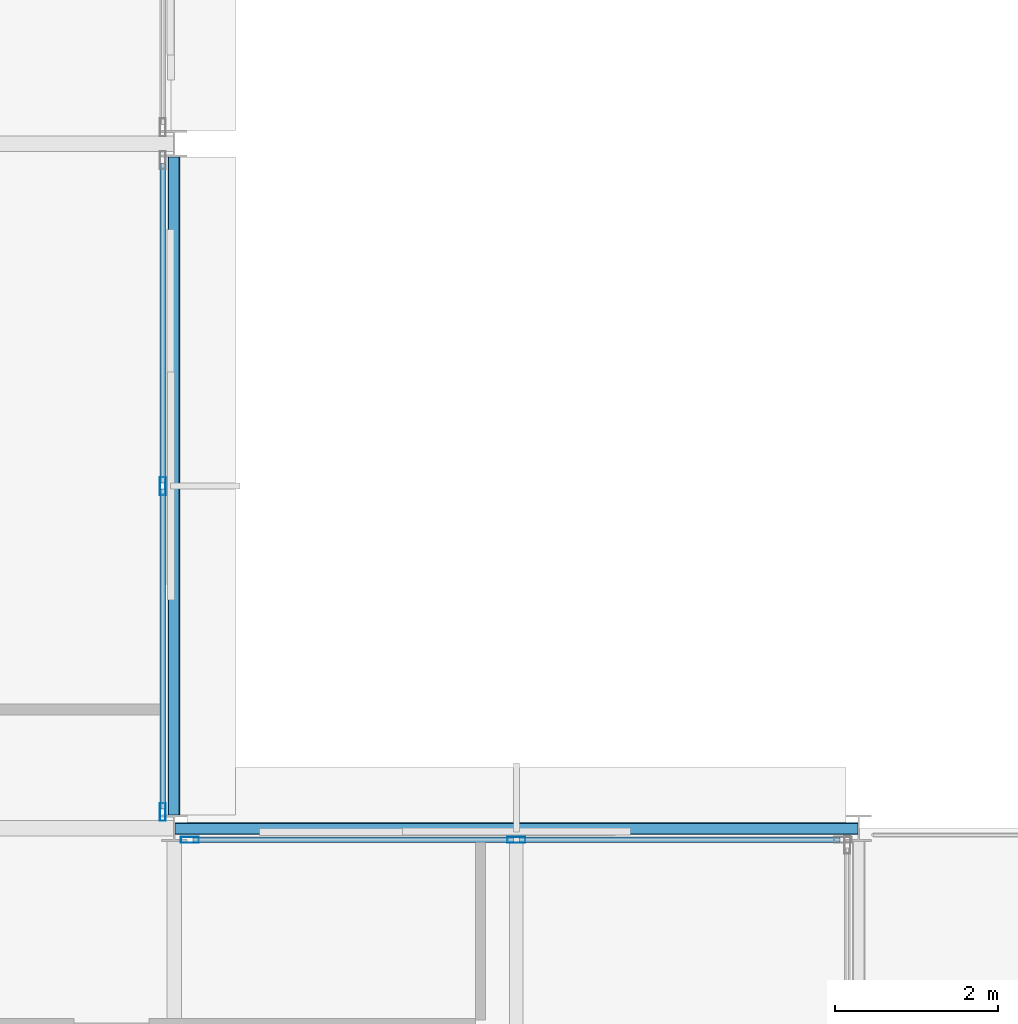
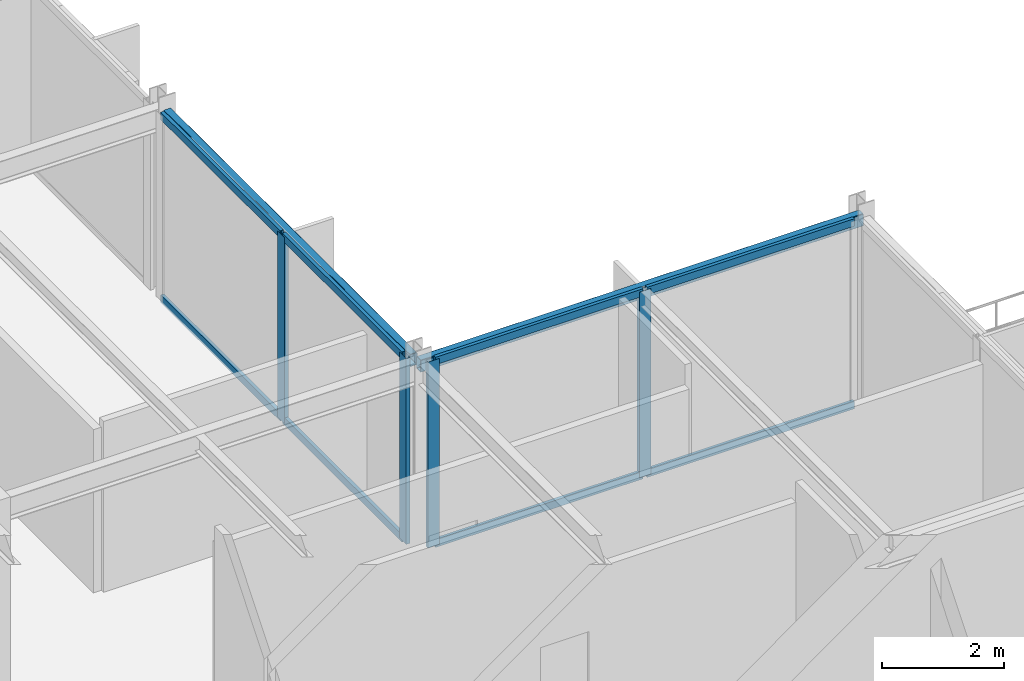
# One storey, part 10 of 23: 12 members, 2 beams, 2 elements without a shape of their own.
"""IFC4 building model written with IfcOpenShell, lengths in metres."""

import ifcopenshell
import ifcopenshell.guid

model = None  # the IFC model being written
_history = None  # IfcOwnerHistory: only IFC2X3 demands one
_inside = {}  # id of a spatial element -> (the spatial element, [elements in it])
_under = {}  # id of a project, library or spatial element -> (it, [spatial elements below it])
_declared = {}  # id of a project -> (the project, [libraries it declares])
_typed = {}  # id of a type object -> (the type object, [elements of that type])
_made_of = {}  # id of a material, layer set ... -> (it, [elements and type objects made of it])


def new_model(schema):
    """Start an empty IFC model of exactly this schema.

    Asked for "IFC4X3", IfcOpenShell would pick the latest addendum, in which some entities
    have other attributes; the version numbers below select the first issue.
    IFC2X3 requires an IfcOwnerHistory on every rooted entity: one is made here for all.
    """
    global model, _history
    if schema == "IFC4X3":
        model = ifcopenshell.file(schema_version=(4, 3, 0, 0))
    else:
        model = ifcopenshell.file(schema=schema)
    _inside.clear()
    _under.clear()
    _declared.clear()
    _typed.clear()
    _made_of.clear()
    _history = None
    if model.schema == "IFC2X3":
        org = make("IfcOrganization", Name="unknown")
        user = make(
            "IfcPersonAndOrganization",
            ThePerson=make("IfcPerson", FamilyName="unknown"),
            TheOrganization=org,
        )
        app = make(
            "IfcApplication",
            ApplicationDeveloper=org,
            Version="unknown",
            ApplicationFullName="unknown",
            ApplicationIdentifier="unknown",
        )
        _history = make(
            "IfcOwnerHistory",
            OwningUser=user,
            OwningApplication=app,
            ChangeAction="ADDED",
            CreationDate=0,
        )
    return model


def make(cls, **values):
    """One entity of the class cls with the attributes given. An attribute that is None is left unset."""
    return model.create_entity(
        cls, **{name: value for name, value in values.items() if value is not None}
    )


def rooted(cls, **values):
    """An entity with a GlobalId (a new one), such as an element, a storey or a relation."""
    return make(cls, GlobalId=ifcopenshell.guid.new(), OwnerHistory=_history, **values)


def si_unit(unit_type, name, prefix=None):
    """IfcSIUnit, for example si_unit("LENGTHUNIT", "METRE", prefix="MILLI")."""
    return make("IfcSIUnit", UnitType=unit_type, Prefix=prefix, Name=name)


def assignment(units):
    """IfcUnitAssignment: the units of a project."""
    return None if units is None else make("IfcUnitAssignment", Units=units)


def point(xyz):
    """IfcCartesianPoint."""
    return None if xyz is None else make("IfcCartesianPoint", Coordinates=xyz)


def direction(xyz):
    """IfcDirection."""
    return None if xyz is None else make("IfcDirection", DirectionRatios=xyz)


def frame(location, z_axis=None, x_axis=None):
    """IfcAxis2Placement3D, a coordinate frame: its origin and axes. An axis left out is left unset."""
    return make(
        "IfcAxis2Placement3D",
        Location=point(location),
        Axis=direction(z_axis),
        RefDirection=direction(x_axis),
    )


def frame_2d(location, x_axis=None):
    """IfcAxis2Placement2D, a coordinate frame in the plane: its origin and x axis."""
    return make(
        "IfcAxis2Placement2D", Location=point(location), RefDirection=direction(x_axis)
    )


def origin():
    """The frame at (0, 0, 0) with its axes left unset."""
    return frame((0.0, 0.0, 0.0))


def origin_2d():
    """The frame at (0, 0) in the plane with its x axis left unset."""
    return frame_2d((0.0, 0.0))


def place(relative_to, where):
    """IfcLocalPlacement: puts the frame where relative to a parent placement (None: the world)."""
    return make(
        "IfcLocalPlacement", PlacementRelTo=relative_to, RelativePlacement=where
    )


def context(
    kind, dimensions, precision=None, world=None, true_north=None, identifier=None
):
    """IfcGeometricRepresentationContext, for example the 3D "Model" context."""
    return make(
        "IfcGeometricRepresentationContext",
        ContextIdentifier=identifier,
        ContextType=kind,
        CoordinateSpaceDimension=dimensions,
        Precision=precision,
        WorldCoordinateSystem=world,
        TrueNorth=true_north,
    )


def subcontext(parent, identifier, kind, view, scale=None):
    """IfcGeometricRepresentationSubContext, for example "Body" below "Model"."""
    return make(
        "IfcGeometricRepresentationSubContext",
        ContextIdentifier=identifier,
        ContextType=kind,
        ParentContext=parent,
        TargetScale=scale,
        TargetView=view,
    )


def project(units=None, contexts=None):
    """IfcProject with its units and contexts."""
    return rooted(
        "IfcProject",
        Name="project",
        RepresentationContexts=contexts,
        UnitsInContext=assignment(units),
    )


def spatial(cls, under=None, at=None, **own):
    """A site, building, storey or space (cls), placed at a placement, below another one or the project."""
    s = rooted(cls, ObjectPlacement=at, **own)
    if under is not None:
        _under.setdefault(under.id(), (under, []))[1].append(s)
    return s


def profile(cls, at=None, kind="AREA", **sizes):
    """A parametric profile (cls). Its sizes go by their IFC names, for example OverallWidth=200.0."""
    return make(cls, ProfileType=kind, Position=at, **sizes)


def hollow_rectangle(**sizes):
    """IfcRectangleHollowProfileDef."""
    return profile("IfcRectangleHollowProfileDef", **sizes)


def extrude(swept, where, along, depth):
    """IfcExtrudedAreaSolid: the profile swept, set in the frame where, extruded along a direction by depth."""
    return make(
        "IfcExtrudedAreaSolid",
        SweptArea=swept,
        Position=where,
        ExtrudedDirection=direction(along),
        Depth=depth,
    )


def shape(context_of_items, identifier, shape_type, items):
    """IfcShapeRepresentation: the items that make up one representation, for example the "Body"."""
    return make(
        "IfcShapeRepresentation",
        ContextOfItems=context_of_items,
        RepresentationIdentifier=identifier,
        RepresentationType=shape_type,
        Items=items,
    )


def material(Name=None, Category=None):
    """IfcMaterial."""
    return make("IfcMaterial", Name=Name, Category=Category)


def layer(
    of_material, thickness, ventilated=None, Name=None, Category=None, Priority=None
):
    """IfcMaterialLayer: one layer of a wall or slab, of a material (None: an air gap)."""
    return make(
        "IfcMaterialLayer",
        Material=of_material,
        LayerThickness=thickness,
        IsVentilated=ventilated,
        Name=Name,
        Category=Category,
        Priority=Priority,
    )


def layer_set(layers, Name=None):
    """IfcMaterialLayerSet."""
    return make("IfcMaterialLayerSet", MaterialLayers=layers, LayerSetName=Name)


def material_profile(
    of_material, cross_section, Name=None, Category=None, Priority=None
):
    """IfcMaterialProfile: a cross section and its material."""
    return make(
        "IfcMaterialProfile",
        Name=Name,
        Material=of_material,
        Profile=cross_section,
        Priority=Priority,
        Category=Category,
    )


def profile_set(profiles, Name=None, composite=None):
    """IfcMaterialProfileSet."""
    return make(
        "IfcMaterialProfileSet",
        Name=Name,
        MaterialProfiles=profiles,
        CompositeProfile=composite,
    )


def made_of(thing, what):
    """Note that an element or type object is made of a material, layer set ...; save() writes the relation."""
    if what is not None:
        _made_of.setdefault(what.id(), (what, []))[1].append(thing)
    return thing


def type_object(cls, material=None, **own):
    """A type object (cls), such as IfcWallType, which elements share."""
    return made_of(rooted(cls, **own), material)


def element(
    cls,
    number,
    at=None,
    inside=None,
    cuts=None,
    type_object=None,
    material=None,
    context=None,
    identifier="Body",
    shape_type=None,
    held_by="IfcProductDefinitionShape",
    body=None,
    shapes=None,
    **own,
):
    """One element of the class cls, such as IfcWall. Its Tag is "e" and its number.

    at: its placement. inside: the storey or other place that contains it. cuts: it is an
    opening in that element (IfcRelVoidsElement). A single representation is given by context,
    identifier, shape_type and body (its items); several are given by shapes. held_by: the class
    of the entity that holds the representations. save() writes the other relations.
    """
    e = rooted(cls, Tag="e%d" % number, ObjectPlacement=at, **own)
    if body is not None:
        shapes = [shape(context, identifier, shape_type, body)]
    if shapes is not None:
        e.Representation = make(held_by, Representations=shapes)
    if inside is not None:
        _inside.setdefault(inside.id(), (inside, []))[1].append(e)
    if cuts is not None:
        rooted(
            "IfcRelVoidsElement", RelatingBuildingElement=cuts, RelatedOpeningElement=e
        )
    if type_object is not None:
        _typed.setdefault(type_object.id(), (type_object, []))[1].append(e)
    return made_of(e, material)


def aggregate(whole, parts):
    """IfcRelAggregates: a whole, such as a stair, and the parts it consists of."""
    return rooted("IfcRelAggregates", RelatingObject=whole, RelatedObjects=parts)


def save(model, path):
    """Write the relations noted so far, then the file.

    IfcRelAggregates (storeys below a building ...), IfcRelContainedInSpatialStructure (elements
    in a storey), IfcRelDefinesByType, IfcRelAssociatesMaterial and IfcRelDeclares: one each for
    every whole, place, type object, material and project.
    """
    for whole, parts in _under.values():
        aggregate(whole, parts)
    for where, things in _inside.values():
        rooted(
            "IfcRelContainedInSpatialStructure",
            RelatedElements=things,
            RelatingStructure=where,
        )
    for kind, things in _typed.values():
        rooted("IfcRelDefinesByType", RelatedObjects=things, RelatingType=kind)
    for what, things in _made_of.values():
        rooted("IfcRelAssociatesMaterial", RelatedObjects=things, RelatingMaterial=what)
    for by, libraries in _declared.values():
        rooted("IfcRelDeclares", RelatingContext=by, RelatedDefinitions=libraries)
    model.write(path)


model = new_model("IFC4")

# Units and contexts
model_context = context("Model", 3, precision=1e-05, world=origin(), true_north=direction((0.0, 1.0)))
body_context = subcontext(model_context, "Body", "Model", "MODEL_VIEW")
ifc_project = project(units=[si_unit("LENGTHUNIT", "METRE"), si_unit("AREAUNIT", "SQUARE_METRE"), si_unit("VOLUMEUNIT", "CUBIC_METRE"), si_unit("PLANEANGLEUNIT", "RADIAN"), si_unit("MASSUNIT", "GRAM", prefix="KILO")], contexts=[model_context])

# Site, building, storey
site_placement = place(None, origin())
site = spatial("IfcSite", under=ifc_project, at=site_placement, CompositionType="ELEMENT")
building_placement = place(site_placement, origin())
building = spatial("IfcBuilding", under=site, at=building_placement, Name="Nerrivon Quay Data Exchange", CompositionType="ELEMENT")
storey_placement = place(building_placement, frame((0.0, 0.0, 286.199951171875)))
storey = spatial("IfcBuildingStorey", under=building, at=storey_placement, Name="L68", CompositionType="ELEMENT", Elevation=286.199951171875)

# Beams
ifc_material_1 = material(Name="Steel Grade C350L0 (350 MPa)", Category="steel")
ifc_material_profile_1 = material_profile(ifc_material_1, hollow_rectangle(XDim=0.14990234375, YDim=0.25, WallThickness=0.009033203125, InnerFilletRadius=0.013427734375, OuterFilletRadius=0.0224609375, at=origin_2d()), Name="250x150x9.0RHS")
ifc_profile_set_1 = profile_set([ifc_material_profile_1], Name="Steel Grade C350L0 (350 MPa)")
beam_type = type_object("IfcBeamType", Name="BM-SP4-250x150RHS", PredefinedType="SPANDREL", material=ifc_profile_set_1)
beam_1_placement = place(storey_placement, frame((25.2080078125, 25.199951171875, 3.60009765625), z_axis=(1.0, 0.0, 0.0), x_axis=(0.0, 1.0, 0.0)))
element("IfcBeam", 1, at=beam_1_placement, inside=storey, type_object=beam_type, Name="L68 EW Girder Y=25.2 (25.2..33.6)", PredefinedType="SPANDREL", context=body_context, shape_type="SweptSolid", body=[
    extrude(hollow_rectangle(XDim=0.14990234375, YDim=0.25, WallThickness=0.009033203125, InnerFilletRadius=0.013427734375, OuterFilletRadius=0.0224609375, at=origin_2d()), origin(), (0.0, 0.0, 1.0), 8.38427734375),
])
beam_2_placement = place(storey_placement, frame((25.199951171875, 25.363525390625, 3.60009765625), z_axis=(0.0, 1.0, 0.0), x_axis=(-1.0, 0.0, 0.0)))
element("IfcBeam", 2, at=beam_2_placement, inside=storey, type_object=beam_type, Name="L68 NS Girder X=25.2 (25.2..33.6)", PredefinedType="SPANDREL", context=body_context, shape_type="SweptSolid", body=[
    extrude(hollow_rectangle(XDim=0.14990234375, YDim=0.25, WallThickness=0.009033203125, InnerFilletRadius=0.013427734375, OuterFilletRadius=0.0224609375, at=origin_2d()), origin(), (0.0, 0.0, 1.0), 8.072998046875),
])

# Curtain wall, members
ifc_material_2 = material(Name="Anodised aluminium 6063-T6", Category="aluminium")
ifc_layer = layer(ifc_material_2, 0.22998046875)
ifc_layer_set = layer_set([ifc_layer], Name="Anodised aluminium 6063-T6")
curtain_wall_type = type_object("IfcCurtainWallType", Name="CW-SYS-05", PredefinedType="NOTDEFINED", material=ifc_layer_set)
curtain_wall_1_placement = place(storey_placement, origin())
curtain_wall_1 = element("IfcCurtainWall", 3, at=curtain_wall_1_placement, inside=storey, type_object=curtain_wall_type, Name="L68 Unitised Curtain Wall 22", PredefinedType="NOTDEFINED")
ifc_material_profile_2 = material_profile(ifc_material_2, hollow_rectangle(XDim=0.074951171875, YDim=0.219970703125, WallThickness=0.00390625, at=origin_2d()), Name="ALU-MULL-220x75")
ifc_profile_set_2 = profile_set([ifc_material_profile_2], Name="Anodised aluminium 6063-T6")
member_type_1 = type_object("IfcMemberType", Name="CWM-220x75", PredefinedType="MULLION", material=ifc_profile_set_2)
member_1_placement = place(storey_placement, frame((25.06005859375, 29.39990234375, 0.0), z_axis=(0.0, 0.0, 1.0), x_axis=(1.0, 0.0, 0.0)))
member_1 = element("IfcMember", 4, at=member_1_placement, type_object=member_type_1, Name="CW05 mullion 2", PredefinedType="MULLION", context=body_context, shape_type="SweptSolid", body=[
    extrude(hollow_rectangle(XDim=0.074951171875, YDim=0.219970703125, WallThickness=0.00390625, at=origin_2d()), origin(), (0.0, 0.0, 1.0), 3.72509765625),
])
member_2_placement = place(storey_placement, frame((25.06005859375, 25.40087890625, 0.0), z_axis=(0.0, 0.0, 1.0), x_axis=(1.0, 0.0, 0.0)))
member_2 = element("IfcMember", 5, at=member_2_placement, type_object=member_type_1, Name="CW05 mullion 3", PredefinedType="MULLION", context=body_context, shape_type="SweptSolid", body=[
    extrude(hollow_rectangle(XDim=0.074951171875, YDim=0.219970703125, WallThickness=0.00390625, at=origin_2d()), origin(), (0.0, 0.0, 1.0), 3.72509765625),
])

curtain_wall_2_placement = place(storey_placement, origin())
curtain_wall_2 = element("IfcCurtainWall", 6, at=curtain_wall_2_placement, inside=storey, type_object=curtain_wall_type, Name="L68 Unitised Curtain Wall 23", PredefinedType="NOTDEFINED")
member_3_placement = place(storey_placement, frame((25.39306640625, 25.06005859375, 0.0), z_axis=(0.0, 0.0, 1.0), x_axis=(0.0, 1.0, 0.0)))
member_3 = element("IfcMember", 7, at=member_3_placement, type_object=member_type_1, Name="CW05 mullion 1", PredefinedType="MULLION", context=body_context, shape_type="SweptSolid", body=[
    extrude(hollow_rectangle(XDim=0.074951171875, YDim=0.219970703125, WallThickness=0.00390625, at=origin_2d()), origin(), (0.0, 0.0, 1.0), 3.72509765625),
])
member_4_placement = place(storey_placement, frame((29.39990234375, 25.06005859375, 0.0), z_axis=(0.0, 0.0, 1.0), x_axis=(0.0, 1.0, 0.0)))
member_4 = element("IfcMember", 8, at=member_4_placement, type_object=member_type_1, Name="CW05 mullion 2", PredefinedType="MULLION", context=body_context, shape_type="SweptSolid", body=[
    extrude(hollow_rectangle(XDim=0.074951171875, YDim=0.219970703125, WallThickness=0.00390625, at=origin_2d()), origin(), (0.0, 0.0, 1.0), 3.72509765625),
])

# Member
ifc_material_profile_3 = material_profile(ifc_material_2, hollow_rectangle(XDim=0.06494140625, YDim=0.14990234375, WallThickness=0.00341796875, at=origin_2d()), Name="ALU-TRAN-150x65")
ifc_profile_set_3 = profile_set([ifc_material_profile_3], Name="Anodised aluminium 6063-T6")
member_type_2 = type_object("IfcMemberType", Name="CWT-150x65", PredefinedType="USERDEFINED", material=ifc_profile_set_3)
member_5_placement = place(storey_placement, frame((25.06005859375, 33.361572265625, 0.032470703125), z_axis=(0.0, -1.0, 0.0), x_axis=(1.0, 0.0, 0.0)))
member_5 = element("IfcMember", 9, at=member_5_placement, type_object=member_type_2, Name="CW05 transom 1.1", ObjectType="TRANSOM", PredefinedType="USERDEFINED", context=body_context, shape_type="SweptSolid", body=[
    extrude(hollow_rectangle(XDim=0.06494140625, YDim=0.14990234375, WallThickness=0.00341796875, at=origin_2d()), origin(), (0.0, 0.0, 1.0), 3.924072265625),
])

member_6_placement = place(storey_placement, frame((25.06005859375, 33.361572265625, 3.692626953125), z_axis=(0.0, -1.0, 0.0), x_axis=(1.0, 0.0, 0.0)))
member_6 = element("IfcMember", 10, at=member_6_placement, type_object=member_type_2, Name="CW05 transom 1.2", ObjectType="TRANSOM", PredefinedType="USERDEFINED", context=body_context, shape_type="SweptSolid", body=[
    extrude(hollow_rectangle(XDim=0.06494140625, YDim=0.14990234375, WallThickness=0.00341796875, at=origin_2d()), origin(), (0.0, 0.0, 1.0), 3.924072265625),
])

member_7_placement = place(storey_placement, frame((25.06005859375, 29.362548828125, 0.032470703125), z_axis=(0.0, -1.0, 0.0), x_axis=(1.0, 0.0, 0.0)))
member_7 = element("IfcMember", 11, at=member_7_placement, type_object=member_type_2, Name="CW05 transom 2.1", ObjectType="TRANSOM", PredefinedType="USERDEFINED", context=body_context, shape_type="SweptSolid", body=[
    extrude(hollow_rectangle(XDim=0.06494140625, YDim=0.14990234375, WallThickness=0.00341796875, at=origin_2d()), origin(), (0.0, 0.0, 1.0), 3.924072265625),
])

member_8_placement = place(storey_placement, frame((25.06005859375, 29.362548828125, 3.692626953125), z_axis=(0.0, -1.0, 0.0), x_axis=(1.0, 0.0, 0.0)))
member_8 = element("IfcMember", 12, at=member_8_placement, type_object=member_type_2, Name="CW05 transom 2.2", ObjectType="TRANSOM", PredefinedType="USERDEFINED", context=body_context, shape_type="SweptSolid", body=[
    extrude(hollow_rectangle(XDim=0.06494140625, YDim=0.14990234375, WallThickness=0.00341796875, at=origin_2d()), origin(), (0.0, 0.0, 1.0), 3.924072265625),
])

aggregate(curtain_wall_1, [member_1, member_2, member_5, member_6, member_7, member_8])

member_9_placement = place(storey_placement, frame((25.430419921875, 25.06005859375, 0.032470703125), z_axis=(1.0, 0.0, 0.0), x_axis=(0.0, 1.0, 0.0)))
member_9 = element("IfcMember", 13, at=member_9_placement, type_object=member_type_2, Name="CW05 transom 1.1", ObjectType="TRANSOM", PredefinedType="USERDEFINED", context=body_context, shape_type="SweptSolid", body=[
    extrude(hollow_rectangle(XDim=0.06494140625, YDim=0.14990234375, WallThickness=0.00341796875, at=origin_2d()), origin(), (0.0, 0.0, 1.0), 3.93212890625),
])

member_10_placement = place(storey_placement, frame((25.430419921875, 25.06005859375, 3.692626953125), z_axis=(1.0, 0.0, 0.0), x_axis=(0.0, 1.0, 0.0)))
member_10 = element("IfcMember", 14, at=member_10_placement, type_object=member_type_2, Name="CW05 transom 1.2", ObjectType="TRANSOM", PredefinedType="USERDEFINED", context=body_context, shape_type="SweptSolid", body=[
    extrude(hollow_rectangle(XDim=0.06494140625, YDim=0.14990234375, WallThickness=0.00341796875, at=origin_2d()), origin(), (0.0, 0.0, 1.0), 3.93212890625),
])

member_11_placement = place(storey_placement, frame((29.4375, 25.06005859375, 0.032470703125), z_axis=(1.0, 0.0, 0.0), x_axis=(0.0, 1.0, 0.0)))
member_11 = element("IfcMember", 15, at=member_11_placement, type_object=member_type_2, Name="CW05 transom 2.1", ObjectType="TRANSOM", PredefinedType="USERDEFINED", context=body_context, shape_type="SweptSolid", body=[
    extrude(hollow_rectangle(XDim=0.06494140625, YDim=0.14990234375, WallThickness=0.00341796875, at=origin_2d()), origin(), (0.0, 0.0, 1.0), 3.931884765625),
])

member_12_placement = place(storey_placement, frame((29.4375, 25.06005859375, 3.692626953125), z_axis=(1.0, 0.0, 0.0), x_axis=(0.0, 1.0, 0.0)))
member_12 = element("IfcMember", 16, at=member_12_placement, type_object=member_type_2, Name="CW05 transom 2.2", ObjectType="TRANSOM", PredefinedType="USERDEFINED", context=body_context, shape_type="SweptSolid", body=[
    extrude(hollow_rectangle(XDim=0.06494140625, YDim=0.14990234375, WallThickness=0.00341796875, at=origin_2d()), origin(), (0.0, 0.0, 1.0), 3.931884765625),
])

aggregate(curtain_wall_2, [member_3, member_4, member_9, member_10, member_11, member_12])

save(model, "model.ifc")
